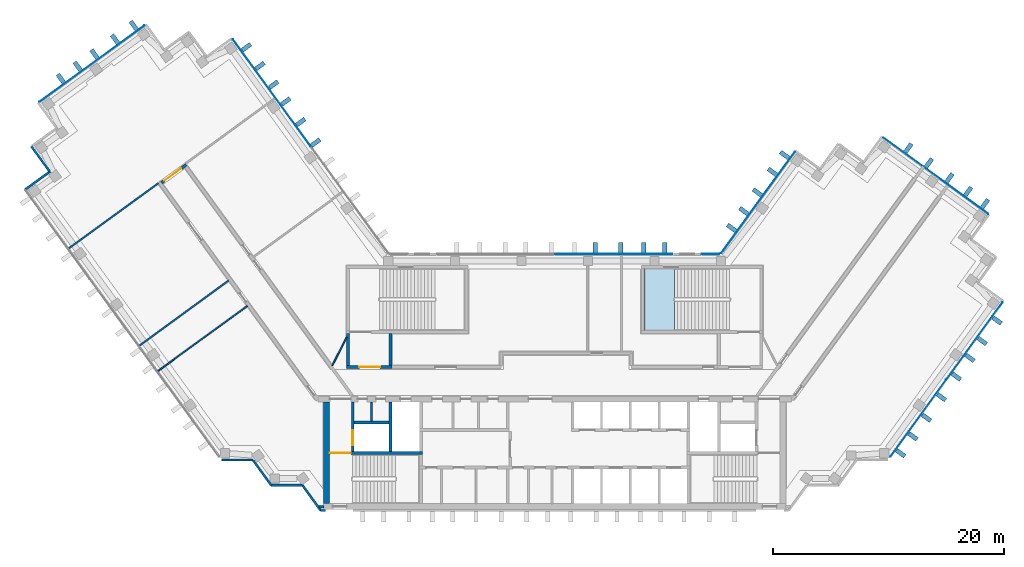
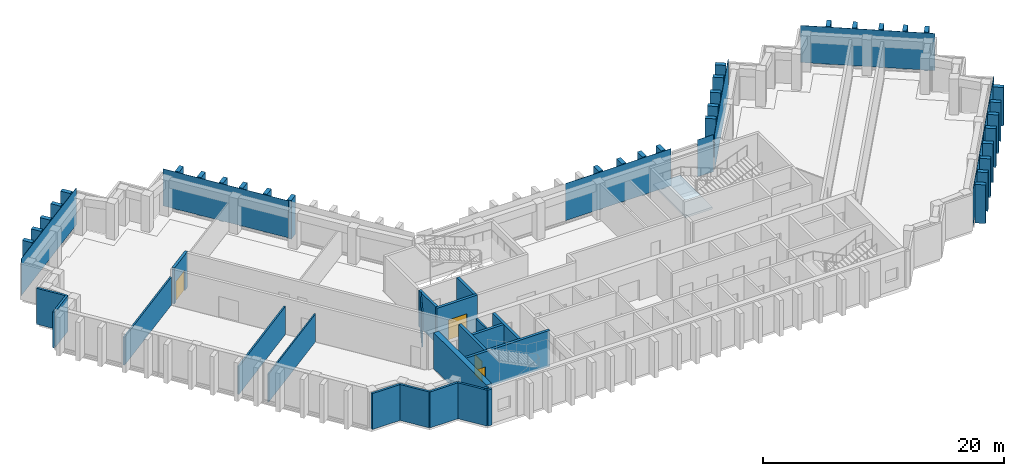
"""IFC4 building model written with IfcOpenShell, lengths in metres."""

from ifc_helpers import new_model, si_unit, direction, frame, frame_2d, origin, origin_2d, place, context, subcontext, project, spatial, polyline, rectangle, outline, extrude, material, layer, layer_set, type_object, element, fill, aggregate, save


model = new_model("IFC4")

# Units and contexts
model_context = context("Model", 3, precision=1e-05, world=origin(), true_north=direction((0.0, 1.0)))
body_context = subcontext(model_context, "Body", "Model", "MODEL_VIEW")
ifc_project = project(units=[si_unit("LENGTHUNIT", "METRE"), si_unit("AREAUNIT", "SQUARE_METRE"), si_unit("VOLUMEUNIT", "CUBIC_METRE"), si_unit("PLANEANGLEUNIT", "RADIAN"), si_unit("MASSUNIT", "GRAM", prefix="KILO")], contexts=[model_context])

# Site, building, storey
site_placement = place(None, origin())
site = spatial("IfcSite", under=ifc_project, at=site_placement, CompositionType="ELEMENT")
building_placement = place(site_placement, origin())
building = spatial("IfcBuilding", under=site, at=building_placement, Name="Quipu Civic Tower", CompositionType="ELEMENT")
storey_1_placement = place(building_placement, frame((0.0, 0.0, 214.0)))
storey_1 = spatial("IfcBuildingStorey", under=building, at=storey_1_placement, Name="L50", CompositionType="ELEMENT", Elevation=214.0)

# Curtain wall
ifc_material_1 = material(Name="Insulated glass unit", Category="glass")
curtain_wall_type = type_object("IfcCurtainWallType", Name="Office curtain wall CW1", PredefinedType="NOTDEFINED", material=ifc_material_1)
curtain_wall_1_placement = place(storey_1_placement, origin())
curtain_wall_1 = element("IfcCurtainWall", 1, at=curtain_wall_1_placement, inside=storey_1, type_object=curtain_wall_type, Name="Office curtain wall CW1 L49 run 4", PredefinedType="NOTDEFINED")

# Storey
storey_2_placement = place(building_placement, frame((0.0, 0.0, 218.0)))
storey_2 = spatial("IfcBuildingStorey", under=building, at=storey_2_placement, Name="L51", CompositionType="ELEMENT", Elevation=218.0)

# Plate
ifc_material_2 = material(Name="Insulated glass unit", Category="glass")
ifc_layer_1 = layer(ifc_material_2, 0.028076171875)
ifc_layer_set_1 = layer_set([ifc_layer_1], Name="Insulated glass unit")
plate_type_1 = type_object("IfcPlateType", Name="Glass panel CW1", PredefinedType="CURTAIN_PANEL", material=ifc_layer_set_1)
plate_1_placement = place(storey_2_placement, frame((31.465087890625, -3.10400390625, 0.16015625), z_axis=(0.0, 0.0, 1.0), x_axis=(0.58778680192, 0.809015868502, 0.0)))
plate_1 = element("IfcPlate", 2, at=plate_1_placement, inside=storey_2, type_object=plate_type_1, Name="CW1 panel 1.3", PredefinedType="CURTAIN_PANEL", context=body_context, shape_type="SweptSolid", body=[
    extrude(rectangle(XDim=8.2080078125, YDim=0.028076171875, at=origin_2d()), origin(), (0.0, 0.0, 1.0), 3.760009765625),
])

plate_2_placement = place(storey_2_placement, frame((36.3369140625, 3.60107421875, 0.16015625), z_axis=(0.0, 0.0, 1.0), x_axis=(0.58778680192, 0.809015868502, 0.0)))
plate_2 = element("IfcPlate", 3, at=plate_2_placement, inside=storey_2, type_object=plate_type_1, Name="CW1 panel 2.3", PredefinedType="CURTAIN_PANEL", context=body_context, shape_type="SweptSolid", body=[
    extrude(rectangle(XDim=8.2080078125, YDim=0.028076171875, at=origin_2d()), origin(), (0.0, 0.0, 1.0), 3.760009765625),
])

aggregate(curtain_wall_1, [plate_1, plate_2])

# Storey
storey_3_placement = place(building_placement, frame((0.0, 0.0, 222.0)))
storey_3 = spatial("IfcBuildingStorey", under=building, at=storey_3_placement, Name="L52", CompositionType="ELEMENT", Elevation=222.0)

# Curtain wall, plate
curtain_wall_2_placement = place(storey_3_placement, origin())
curtain_wall_2 = element("IfcCurtainWall", 4, at=curtain_wall_2_placement, inside=storey_3, type_object=curtain_wall_type, Name="Office curtain wall CW1 L51 run 1", PredefinedType="NOTDEFINED")
plate_3_placement = place(storey_2_placement, frame((-24.491455078125, 25.066162109375, 0.240234375), z_axis=(0.0, 0.0, 1.0), x_axis=(-0.587788727052, 0.809014469803, 0.0)))
plate_3 = element("IfcPlate", 5, at=plate_3_placement, inside=storey_2, type_object=plate_type_1, Name="CW1 panel 2.1", PredefinedType="CURTAIN_PANEL", context=body_context, shape_type="SweptSolid", body=[
    extrude(rectangle(XDim=11.402099609375, YDim=0.028076171875, at=origin_2d()), origin(), (0.0, 0.0, 1.0), 3.760009765625),
])
aggregate(curtain_wall_2, [plate_3])

curtain_wall_3_placement = place(storey_3_placement, origin())
curtain_wall_3 = element("IfcCurtainWall", 6, at=curtain_wall_3_placement, inside=storey_3, type_object=curtain_wall_type, Name="Office curtain wall CW1 L51 run 6", PredefinedType="NOTDEFINED")
plate_4_placement = place(storey_2_placement, frame((-40.04345703125, 27.58740234375, 0.240234375), z_axis=(0.0, 0.0, 1.0), x_axis=(-0.809015176832, -0.587787753918, 0.0)))
plate_4 = element("IfcPlate", 7, at=plate_4_placement, inside=storey_2, type_object=plate_type_1, Name="CW1 panel 1.1", PredefinedType="CURTAIN_PANEL", context=body_context, shape_type="SweptSolid", body=[
    extrude(rectangle(XDim=11.239990234375, YDim=0.028076171875, at=origin_2d()), origin(), (0.0, 0.0, 1.0), 3.760009765625),
])
aggregate(curtain_wall_3, [plate_4])

curtain_wall_4_placement = place(storey_3_placement, origin())
curtain_wall_4 = element("IfcCurtainWall", 8, at=curtain_wall_4_placement, inside=storey_3, type_object=curtain_wall_type, Name="Office curtain wall CW1 L51 run 21", PredefinedType="NOTDEFINED")
plate_5_placement = place(storey_2_placement, frame((32.989990234375, 17.87939453125, 0.240234375), z_axis=(0.0, 0.0, 1.0), x_axis=(-0.809015176832, 0.587787753918, 0.0)))
plate_5 = element("IfcPlate", 9, at=plate_5_placement, inside=storey_2, type_object=plate_type_1, Name="CW1 panel 1.1", PredefinedType="CURTAIN_PANEL", context=body_context, shape_type="SweptSolid", body=[
    extrude(rectangle(XDim=11.239990234375, YDim=0.028076171875, at=origin_2d()), origin(), (0.0, 0.0, 1.0), 3.760009765625),
])
aggregate(curtain_wall_4, [plate_5])

curtain_wall_5_placement = place(storey_3_placement, origin())
curtain_wall_5 = element("IfcCurtainWall", 10, at=curtain_wall_5_placement, inside=storey_3, type_object=curtain_wall_type, Name="Office curtain wall CW1 L51 run 26", PredefinedType="NOTDEFINED")
plate_6_placement = place(storey_2_placement, frame((17.590087890625, 15.5673828125, 0.240234375), z_axis=(0.0, 0.0, 1.0), x_axis=(-0.587787771652, -0.809015163947, 0.0)))
plate_6 = element("IfcPlate", 11, at=plate_6_placement, inside=storey_2, type_object=plate_type_1, Name="CW1 panel 1.1", PredefinedType="CURTAIN_PANEL", context=body_context, shape_type="SweptSolid", body=[
    extrude(rectangle(XDim=10.88427734375, YDim=0.028076171875, at=origin_2d()), origin(), (0.0, 0.0, 1.0), 3.760009765625),
])
aggregate(curtain_wall_5, [plate_6])

curtain_wall_6_placement = place(storey_3_placement, origin())
curtain_wall_6 = element("IfcCurtainWall", 12, at=curtain_wall_6_placement, inside=storey_3, type_object=curtain_wall_type, Name="Office curtain wall CW1 L51 run 27", PredefinedType="NOTDEFINED")
plate_7_placement = place(storey_2_placement, frame((13.49951171875, 11.10009765625, 0.240234375), z_axis=(0.0, 0.0, 1.0), x_axis=(-1.0, 0.0, 0.0)))
plate_7 = element("IfcPlate", 13, at=plate_7_placement, inside=storey_2, type_object=plate_type_1, Name="CW1 panel 1.1", PredefinedType="CURTAIN_PANEL", context=body_context, shape_type="SweptSolid", body=[
    extrude(rectangle(XDim=1.529296875, YDim=0.028076171875, at=origin_2d()), origin(), (0.0, 0.0, 1.0), 3.760009765625),
])
aggregate(curtain_wall_6, [plate_7])

curtain_wall_7_placement = place(storey_3_placement, origin())
curtain_wall_7 = element("IfcCurtainWall", 14, at=curtain_wall_7_placement, inside=storey_3, type_object=curtain_wall_type, Name="Office curtain wall CW1 L51 run 29", PredefinedType="NOTDEFINED")
plate_8_placement = place(storey_2_placement, frame((5.11181640625, 11.10009765625, 0.240234375), z_axis=(0.0, 0.0, 1.0), x_axis=(-1.0, 0.0, 0.0)))
plate_8 = element("IfcPlate", 15, at=plate_8_placement, inside=storey_2, type_object=plate_type_1, Name="CW1 panel 1.1", PredefinedType="CURTAIN_PANEL", context=body_context, shape_type="SweptSolid", body=[
    extrude(rectangle(XDim=10.1435546875, YDim=0.028076171875, at=origin_2d()), origin(), (0.0, 0.0, 1.0), 3.760009765625),
])
aggregate(curtain_wall_7, [plate_8])

# Plates
ifc_material_3 = material(Name="Precast concrete C40/50", Category="concrete")
plate_type_2 = type_object("IfcPlateType", Name="Precast fin F2", PredefinedType="SHEET", material=ifc_material_3)
for number, where, z_axis, x_axis, name in (
    (16, (29.943603515625, -6.134033203125, 0.080078125), (0.0, 0.0, 1.0), (0.587786668783, 0.809015965233, 0.0), "Precast fin F2 L51.P04.1"),
    (17, (31.00146484375, -4.677734375, 0.080078125), (0.0, 0.0, 1.0), (0.587786668783, 0.809015965233, 0.0), "Precast fin F2 L51.P04.2"),
    (18, (32.17724609375, -3.059814453125, 0.080078125), (0.0, 0.0, 1.0), (0.587786668783, 0.809015965233, 0.0), "Precast fin F2 L51.P04.3"),
    (19, (33.47021484375, -1.280029296875, 0.080078125), (0.0, 0.0, 1.0), (0.587786668783, 0.809015965233, 0.0), "Precast fin F2 L51.P04.4"),
    (20, (34.763427734375, 0.5, 0.080078125), (0.0, 0.0, 1.0), (0.587786668783, 0.809015965233, 0.0), "Precast fin F2 L51.P04.5"),
    (21, (35.93896484375, 2.117919921875, 0.080078125), (0.0, 0.0, 1.0), (0.587786668783, 0.809015965233, 0.0), "Precast fin F2 L51.P04.6"),
    (22, (36.9970703125, 3.57421875, 0.080078125), (0.0, 0.0, 1.0), (0.587786668783, 0.809015965233, 0.0), "Precast fin F2 L51.P04.7"),
    (23, (38.2900390625, 5.35400390625, 0.080078125), (0.0, 0.0, 1.0), (0.587786668783, 0.809015965233, 0.0), "Precast fin F2 L51.P04.8"),
    (24, (-20.681884765625, 20.758544921875, 0.080078125), (0.0, 0.0, 1.0), (-0.587787133119, 0.809015627871, 0.0), "Precast fin F2 L51.1.6"),
    (25, (-21.974853515625, 22.538330078125, 0.080078125), (0.0, 0.0, 1.0), (-0.587787133119, 0.809015627871, 0.0), "Precast fin F2 L51.1.7"),
    (26, (-23.26806640625, 24.318115234375, 0.080078125), (0.0, 0.0, 1.0), (-0.587787133119, 0.809015627871, 0.0), "Precast fin F2 L51.1.8"),
    (27, (-24.326171875, 25.7744140625, 0.080078125), (0.0, 0.0, 1.0), (-0.587787133119, 0.809015627871, 0.0), "Precast fin F2 L51.1.9"),
    (28, (-25.501708984375, 27.392578125, 0.080078125), (0.0, 0.0, 1.0), (-0.587787133119, 0.809015627871, 0.0), "Precast fin F2 L51.1.10"),
    (29, (-26.67724609375, 29.010498046875, 0.080078125), (0.0, 0.0, 1.0), (-0.587787133119, 0.809015627871, 0.0), "Precast fin F2 L51.1.11"),
    (30, (-36.434814453125, 30.88916015625, 0.080078125), (0.0, 0.0, 1.0), (-0.809017072762, -0.587785144401, 0.0), "Precast fin F2 L51.6.1"),
    (31, (-38.052978515625, 29.713623046875, 0.080078125), (0.0, 0.0, 1.0), (-0.809017072762, -0.587785144401, 0.0), "Precast fin F2 L51.6.2"),
    (32, (-39.832763671875, 28.42041015625, 0.080078125), (0.0, 0.0, 1.0), (-0.809017072762, -0.587785144401, 0.0), "Precast fin F2 L51.6.3"),
    (33, (-41.2890625, 27.3623046875, 0.080078125), (0.0, 0.0, 1.0), (-0.809017072762, -0.587785144401, 0.0), "Precast fin F2 L51.6.4"),
    (34, (-42.745361328125, 26.304443359375, 0.080078125), (0.0, 0.0, 1.0), (-0.809017072762, -0.587785144401, 0.0), "Precast fin F2 L51.6.5"),
    (35, (37.2451171875, 15.467529296875, 0.080078125), (0.0, 0.0, 1.0), (-0.809017072762, 0.587785144401, 0.0), "Precast fin F2 L51.21.1"),
    (36, (35.7890625, 16.525634765625, 0.080078125), (0.0, 0.0, 1.0), (-0.809017072762, 0.587785144401, 0.0), "Precast fin F2 L51.21.2"),
    (37, (34.1708984375, 17.701171875, 0.080078125), (0.0, 0.0, 1.0), (-0.809017072762, 0.587785144401, 0.0), "Precast fin F2 L51.21.3"),
    (38, (32.39111328125, 18.994384765625, 0.080078125), (0.0, 0.0, 1.0), (-0.809017072762, 0.587785144401, 0.0), "Precast fin F2 L51.21.4"),
    (39, (30.611328125, 20.287353515625, 0.080078125), (0.0, 0.0, 1.0), (-0.809017072762, 0.587785144401, 0.0), "Precast fin F2 L51.21.5"),
    (40, (19.897216796875, 19.6787109375, 0.080078125), (0.0, 0.0, 1.0), (-0.58778443384, -0.809017589015, 0.0), "Precast fin F2 L51.26.1"),
    (41, (18.839111328125, 18.222412109375, 0.080078125), (0.0, 0.0, 1.0), (-0.58778443384, -0.809017589015, 0.0), "Precast fin F2 L51.26.2"),
    (42, (17.546142578125, 16.442626953125, 0.080078125), (0.0, 0.0, 1.0), (-0.58778443384, -0.809017589015, 0.0), "Precast fin F2 L51.26.3"),
    (43, (16.370361328125, 14.824462890625, 0.080078125), (0.0, 0.0, 1.0), (-0.58778443384, -0.809017589015, 0.0), "Precast fin F2 L51.26.4"),
    (44, (15.3125, 13.368408203125, 0.080078125), (0.0, 0.0, 1.0), (-0.58778443384, -0.809017589015, 0.0), "Precast fin F2 L51.26.5"),
    (45, (9.510009765625, 11.64990234375, 0.080078125), (0.0, 0.0, 1.0), (-1.0, 0.0, 0.0), "Precast fin F2 L51.29.1"),
    (46, (7.7099609375, 11.64990234375, 0.080078125), (0.0, 0.0, 1.0), (-1.0, 0.0, 0.0), "Precast fin F2 L51.29.2"),
    (47, (5.7099609375, 11.64990234375, 0.080078125), (0.0, 0.0, 1.0), (-1.0, 0.0, 0.0), "Precast fin F2 L51.29.3"),
    (48, (3.510009765625, 11.64990234375, 0.080078125), (0.0, 0.0, 1.0), (-1.0, 0.0, 0.0), "Precast fin F2 L51.29.4"),
):
    element("IfcPlate", number, at=place(storey_2_placement, frame(where, z_axis=z_axis, x_axis=x_axis)), inside=storey_2, type_object=plate_type_2, Name=name, PredefinedType="SHEET", context=body_context, shape_type="SweptSolid", body=[
        extrude(rectangle(XDim=0.3798828125, YDim=0.89990234375, at=origin_2d()), origin(), (0.0, 0.0, 1.0), 3.919921875),
    ])

# Stair, slab
ifc_material_4 = material(Name="Concrete C40/50", Category="concrete")
stair_type = type_object("IfcStairType", Name="Half turn stair 2600", PredefinedType="HALF_TURN_STAIR", material=ifc_material_4)
stair_placement = place(storey_2_placement, origin())
stair = element("IfcStair", 49, at=stair_placement, inside=storey_2, type_object=stair_type, Name="Exit stair 4", PredefinedType="HALF_TURN_STAIR")
ifc_material_5 = material(Name="Concrete C40/50", Category="concrete")
ifc_layer_2 = layer(ifc_material_5, 0.199951171875)
ifc_layer_set_2 = layer_set([ifc_layer_2], Name="Concrete C40/50")
slab_type = type_object("IfcSlabType", Name="Stair landing 200", PredefinedType="LANDING", material=ifc_layer_set_2)
slab_placement = place(storey_2_placement, frame((0.0, 0.0, 1.800048828125)))
slab = element("IfcSlab", 50, at=slab_placement, type_object=slab_type, Name="ST-4 landing 1", PredefinedType="LANDING", context=body_context, shape_type="SweptSolid", body=[
    extrude(outline(polyline([(10.35009765625, 9.85009765625), (7.75, 9.85009765625), (7.75, 4.5), (10.35009765625, 4.5), (10.35009765625, 9.85009765625)])), origin(), (0.0, 0.0, 1.0), 0.199951171875),
])
aggregate(stair, [slab])

# Walls
ifc_material_6 = material(Name="Double gypsum plasterboard with mineral wool")
ifc_layer_3 = layer(ifc_material_6, 0.14990234375)
ifc_layer_set_3 = layer_set([ifc_layer_3], Name="Double gypsum plasterboard with mineral wool")
wall_type_1 = type_object("IfcWallType", Name="Acoustic partition 150 plasterboard", PredefinedType="PARTITIONING", material=ifc_layer_set_3)
wall_1_placement = place(storey_2_placement, frame((-42.035888671875, 11.615478515625, 0.0), z_axis=(0.0, 0.0, 1.0), x_axis=(0.808985331811, 0.587828829605, 0.0)))
element("IfcWall", 51, at=wall_1_placement, inside=storey_2, type_object=wall_type_1, Name="Partition P01", PredefinedType="PARTITIONING", context=body_context, shape_type="SweptSolid", body=[
    extrude(rectangle(XDim=9.56982421875, YDim=0.14990234375, at=frame_2d((4.784912109375, 0.0))), origin(), (0.0, 0.0, 1.0), 2.85009765625),
])
wall_2_placement = place(storey_2_placement, frame((-35.919189453125, 3.196533203125, 0.0), z_axis=(0.0, 0.0, 1.0), x_axis=(0.807645841498, 0.589667868135, 0.0)))
element("IfcWall", 52, at=wall_2_placement, inside=storey_2, type_object=wall_type_1, Name="Partition P05", PredefinedType="PARTITIONING", context=body_context, shape_type="SweptSolid", body=[
    extrude(rectangle(XDim=9.550537109375, YDim=0.14990234375, at=frame_2d((4.775390625, 0.0))), origin(), (0.0, 0.0, 1.0), 2.85009765625),
])

# Wall, opening, door
ifc_material_7 = material(Name="Concrete C70/85", Category="concrete")
ifc_layer_4 = layer(ifc_material_7, 0.25)
ifc_layer_set_4 = layer_set([ifc_layer_4], Name="Concrete C70/85")
wall_type_2 = type_object("IfcWallType", Name="Core wall 250", PredefinedType="SHEAR", material=ifc_layer_set_4)
wall_3_placement = place(storey_2_placement, frame((-11.449951171875, -6.125, 0.0), z_axis=(0.0, 0.0, 1.0), x_axis=(-1.0, 0.0, 0.0)))
wall_3 = element("IfcWall", 53, at=wall_3_placement, inside=storey_2, type_object=wall_type_2, Name="Core wall", PredefinedType="SHEAR", context=body_context, shape_type="SweptSolid", body=[
    extrude(rectangle(XDim=8.050048828125, YDim=0.25, at=frame_2d((4.02490234375, 0.0))), origin(), (0.0, 0.0, 1.0), 3.64990234375),
])
opening_1_placement = place(wall_3_placement, frame((6.199951171875, 0.0, 0.0)))
opening_1 = element("IfcOpeningElement", 54, at=opening_1_placement, cuts=wall_3, Name="Opening CD-07", PredefinedType="OPENING", context=body_context, shape_type="SweptSolid", body=[
    extrude(rectangle(XDim=1.800048828125, YDim=2.10009765625, at=frame_2d((0.89990234375, 1.050048828125))), frame((0.0, 0.135009765625, 0.0), z_axis=(0.0, -1.0, 0.0), x_axis=(1.0, 0.0, 0.0)), (0.0, 0.0, 1.0), 0.27001953125),
])
ifc_material_8 = material(Name="Fire rated steel door", Category="steel")
door_type_1 = type_object("IfcDoorType", Name="Fire door FD90 double 1800 x 2100", OperationType="NOTDEFINED", PredefinedType="DOOR", material=ifc_material_8)
door_1_placement = place(opening_1_placement, origin())
door_1 = element("IfcDoor", 55, at=door_1_placement, inside=storey_2, type_object=door_type_1, Name="Door", OperationType="DOUBLE_DOOR_SINGLE_SWING", OverallHeight=2.10009765625, OverallWidth=1.800048828125, PredefinedType="DOOR", context=body_context, shape_type="SweptSolid", body=[
    extrude(rectangle(XDim=1.800048828125, YDim=2.10009765625, at=frame_2d((0.89990234375, 1.050048828125))), frame((0.0, 0.02490234375, 0.0), z_axis=(0.0, -1.0, 0.0), x_axis=(1.0, 0.0, 0.0)), (0.0, 0.0, 1.0), 0.050048828125),
])
fill(opening_1, door_1)

wall_4_placement = place(storey_2_placement, frame((-17.47509765625, -6.0, 0.0), z_axis=(0.0, 0.0, 1.0), x_axis=(0.0, 1.0, 0.0)))
wall_4 = element("IfcWall", 56, at=wall_4_placement, inside=storey_2, type_object=wall_type_2, Name="Core wall", PredefinedType="SHEAR", context=body_context, shape_type="SweptSolid", body=[
    extrude(rectangle(XDim=4.300048828125, YDim=0.25, at=frame_2d((2.14990234375, 0.0))), origin(), (0.0, 0.0, 1.0), 3.64990234375),
])
opening_2_placement = place(wall_4_placement, frame((0.550048828125, 0.0, 0.0)))
opening_2 = element("IfcOpeningElement", 57, at=opening_2_placement, cuts=wall_4, Name="Opening LD-FF1", PredefinedType="OPENING", context=body_context, shape_type="SweptSolid", body=[
    extrude(rectangle(XDim=1.300048828125, YDim=2.10009765625, at=frame_2d((0.64990234375, 1.050048828125))), frame((0.0, 0.135009765625, 0.0), z_axis=(0.0, -1.0, 0.0), x_axis=(1.0, 0.0, 0.0)), (0.0, 0.0, 1.0), 0.27001953125),
])
ifc_material_9 = material(Name="Stainless steel", Category="steel")
door_type_2 = type_object("IfcDoorType", Name="Lift landing door 1300 x 2100", OperationType="DOUBLE_DOOR_SLIDING", PredefinedType="DOOR", material=ifc_material_9)
door_2_placement = place(opening_2_placement, origin())
door_2 = element("IfcDoor", 58, at=door_2_placement, inside=storey_2, type_object=door_type_2, Name="Landing door FF1", OperationType="DOUBLE_DOOR_SLIDING", OverallHeight=2.10009765625, OverallWidth=1.300048828125, PredefinedType="DOOR", context=body_context, shape_type="SweptSolid", body=[
    extrude(rectangle(XDim=1.300048828125, YDim=2.10009765625, at=frame_2d((0.64990234375, 1.050048828125))), frame((0.0, 0.02490234375, 0.0), z_axis=(0.0, -1.0, 0.0), x_axis=(1.0, 0.0, 0.0)), (0.0, 0.0, 1.0), 0.050048828125),
])
fill(opening_2, door_2)

# Walls
wall_5_placement = place(storey_2_placement, frame((-14.22509765625, -6.0, 0.0), z_axis=(0.0, 0.0, 1.0), x_axis=(0.0, 1.0, 0.0)))
element("IfcWall", 59, at=wall_5_placement, inside=storey_2, type_object=wall_type_2, Name="Core wall", PredefinedType="SHEAR", context=body_context, shape_type="SweptSolid", body=[
    extrude(rectangle(XDim=4.300048828125, YDim=0.25, at=frame_2d((2.14990234375, 0.0))), origin(), (0.0, 0.0, 1.0), 3.64990234375),
])
wall_6_placement = place(storey_2_placement, frame((-17.35009765625, -3.47509765625, 0.0), z_axis=(0.0, 0.0, 1.0), x_axis=(1.0, 0.0, 0.0)))
element("IfcWall", 60, at=wall_6_placement, inside=storey_2, type_object=wall_type_2, Name="Core wall", PredefinedType="SHEAR", context=body_context, shape_type="SweptSolid", body=[
    extrude(rectangle(XDim=3.0, YDim=0.25, at=frame_2d((1.5, 0.0))), origin(), (0.0, 0.0, 1.0), 3.64990234375),
])

# Wall, opening, door
wall_7_placement = place(storey_2_placement, frame((-18.0, 1.324951171875, 0.0), z_axis=(0.0, 0.0, 1.0), x_axis=(1.0, 0.0, 0.0)))
wall_7 = element("IfcWall", 61, at=wall_7_placement, inside=storey_2, type_object=wall_type_2, Name="Core wall", PredefinedType="SHEAR", context=body_context, shape_type="SweptSolid", body=[
    extrude(rectangle(XDim=3.89990234375, YDim=0.25, at=frame_2d((1.949951171875, 0.0))), origin(), (0.0, 0.0, 1.0), 3.64990234375),
])
opening_3_placement = place(wall_7_placement, frame((1.10009765625, 0.0, 0.0)))
opening_3 = element("IfcOpeningElement", 62, at=opening_3_placement, cuts=wall_7, Name="Opening CD-21", PredefinedType="OPENING", context=body_context, shape_type="SweptSolid", body=[
    extrude(rectangle(XDim=1.800048828125, YDim=2.10009765625, at=frame_2d((0.89990234375, 1.050048828125))), frame((0.0, 0.135009765625, 0.0), z_axis=(0.0, -1.0, 0.0), x_axis=(1.0, 0.0, 0.0)), (0.0, 0.0, 1.0), 0.27001953125),
])
door_3_placement = place(opening_3_placement, origin())
door_3 = element("IfcDoor", 63, at=door_3_placement, inside=storey_2, type_object=door_type_1, Name="Lobby door", OperationType="DOUBLE_DOOR_SINGLE_SWING", OverallHeight=2.10009765625, OverallWidth=1.800048828125, PredefinedType="DOOR", context=body_context, shape_type="SweptSolid", body=[
    extrude(rectangle(XDim=1.800048828125, YDim=2.10009765625, at=frame_2d((0.89990234375, 1.050048828125))), frame((0.0, 0.02490234375, 0.0), z_axis=(0.0, -1.0, 0.0), x_axis=(1.0, 0.0, 0.0)), (0.0, 0.0, 1.0), 0.050048828125),
])
fill(opening_3, door_3)

# Walls
for number, where, z_axis, x_axis, name in (
    (64, (-17.875, 1.449951171875, 0.0), (0.0, 0.0, 1.0), (0.0, 1.0, 0.0), "Core wall"),
    (65, (-14.22509765625, 1.449951171875, 0.0), (0.0, 0.0, 1.0), (0.0, 1.0, 0.0), "Core wall"),
):
    element("IfcWall", number, at=place(storey_2_placement, frame(where, z_axis=z_axis, x_axis=x_axis)), inside=storey_2, type_object=wall_type_2, Name=name, PredefinedType="SHEAR", context=body_context, shape_type="SweptSolid", body=[
        extrude(rectangle(XDim=2.800048828125, YDim=0.25, at=frame_2d((1.39990234375, 0.0))), origin(), (0.0, 0.0, 1.0), 3.64990234375),
    ])
ifc_material_10 = material(Name="Concrete C70/85", Category="concrete")
ifc_layer_5 = layer(ifc_material_10, 0.5)
ifc_layer_set_5 = layer_set([ifc_layer_5], Name="Concrete C70/85")
wall_type_3 = type_object("IfcWallType", Name="Core wall 500", PredefinedType="SHEAR", material=ifc_layer_set_5)
wall_8_placement = place(storey_2_placement, frame((-19.75, -10.5, 0.0), z_axis=(0.0, 0.0, 1.0), x_axis=(0.0, 1.0, 0.0)))
element("IfcWall", 66, at=wall_8_placement, inside=storey_2, type_object=wall_type_3, Name="Core wall", PredefinedType="SHEAR", context=body_context, shape_type="SweptSolid", body=[
    extrude(rectangle(XDim=8.800048828125, YDim=0.5, at=frame_2d((4.39990234375, 0.0))), origin(), (0.0, 0.0, 1.0), 3.64990234375),
])

# Wall, opening, door
ifc_material_11 = material(Name="Concrete C50/60", Category="concrete")
ifc_layer_6 = layer(ifc_material_11, 0.25)
ifc_layer_set_6 = layer_set([ifc_layer_6], Name="Concrete C50/60")
wall_type_4 = type_object("IfcWallType", Name="Corridor wall 250 concrete", PredefinedType="SOLIDWALL", material=ifc_layer_set_6)
wall_9_placement = place(storey_2_placement, frame((-34.0341796875, 17.275146484375, 0.0), z_axis=(0.0, 0.0, 1.0), x_axis=(0.809006914995, 0.587799125119, 0.0)))
wall_9 = element("IfcWall", 67, at=wall_9_placement, inside=storey_2, type_object=wall_type_4, Name="Corridor wall C05", PredefinedType="SOLIDWALL", context=body_context, shape_type="SweptSolid", body=[
    extrude(rectangle(XDim=2.64990234375, YDim=0.25, at=frame_2d((1.324951171875, 0.0))), origin(), (0.0, 0.0, 1.0), 3.64990234375),
])
opening_4_placement = place(wall_9_placement, frame((0.30029296875, 0.0, 0.0)))
opening_4 = element("IfcOpeningElement", 68, at=opening_4_placement, cuts=wall_9, Name="Opening D011", PredefinedType="OPENING", context=body_context, shape_type="SweptSolid", body=[
    extrude(rectangle(XDim=1.800048828125, YDim=2.10009765625, at=frame_2d((0.89990234375, 1.050048828125))), frame((0.0, 0.135009765625, 0.0), z_axis=(0.0, -1.0, 0.0), x_axis=(1.0, 0.0, 0.0)), (0.0, 0.0, 1.0), 0.27001953125),
])
ifc_material_12 = material(Name="Fire rated timber door set with metal frame", Category="wood")
door_type_3 = type_object("IfcDoorType", Name="Double door 1800 x 2100 FD60", OperationType="DOUBLE_DOOR_SINGLE_SWING", PredefinedType="DOOR", material=ifc_material_12)
door_4_placement = place(opening_4_placement, origin())
door_4 = element("IfcDoor", 69, at=door_4_placement, inside=storey_2, type_object=door_type_3, Name="Door D011", OperationType="DOUBLE_DOOR_SINGLE_SWING", OverallHeight=2.10009765625, OverallWidth=1.800048828125, PredefinedType="DOOR", context=body_context, shape_type="SweptSolid", body=[
    extrude(rectangle(XDim=1.800048828125, YDim=2.10009765625, at=frame_2d((0.89990234375, 1.050048828125))), frame((0.0, 0.02490234375, 0.0), z_axis=(0.0, -1.0, 0.0), x_axis=(1.0, 0.0, 0.0)), (0.0, 0.0, 1.0), 0.050048828125),
])
fill(opening_4, door_4)

# Walls
ifc_material_13 = material(Name="Gypsum plasterboard on light gauge framing")
ifc_layer_7 = layer(ifc_material_13, 0.1201171875)
ifc_layer_set_7 = layer_set([ifc_layer_7], Name="Gypsum plasterboard on light gauge framing")
wall_type_5 = type_object("IfcWallType", Name="Partition 120 plasterboard", PredefinedType="PARTITIONING", material=ifc_layer_set_7)
wall_10_placement = place(storey_2_placement, frame((-26.59521484375, 6.61083984375, 0.0), z_axis=(0.0, 0.0, 1.0), x_axis=(-0.80900684162, -0.587799226107, 0.0)))
element("IfcWall", 70, at=wall_10_placement, inside=storey_2, type_object=wall_type_5, Name="Partition P03", PredefinedType="PARTITIONING", context=body_context, shape_type="SweptSolid", body=[
    extrude(rectangle(XDim=9.550048828125, YDim=0.1201171875, at=frame_2d((4.77490234375, 0.0))), origin(), (0.0, 0.0, 1.0), 2.85009765625),
])
wall_11_placement = place(storey_2_placement, frame((-19.260986328125, 1.449951171875, 0.0), z_axis=(0.0, 0.0, 1.0), x_axis=(0.453950796792, 0.891026752736, 0.0)))
element("IfcWall", 71, at=wall_11_placement, inside=storey_2, type_object=wall_type_5, Name="Partition P09", PredefinedType="PARTITIONING", context=body_context, shape_type="SweptSolid", body=[
    extrude(rectangle(XDim=2.77783203125, YDim=0.1201171875, at=frame_2d((1.388916015625, 0.0))), origin(), (0.0, 0.0, 1.0), 3.64990234375),
])
ifc_material_14 = material(Name="Gypsum board partition")
ifc_layer_8 = layer(ifc_material_14, 0.14990234375)
ifc_layer_set_8 = layer_set([ifc_layer_8], Name="Gypsum board partition")
wall_type_6 = type_object("IfcWallType", Name="Partition 150", PredefinedType="PARTITIONING", material=ifc_layer_set_8)
wall_12_placement = place(storey_2_placement, frame((-15.85009765625, -3.35009765625, 0.0), z_axis=(0.0, 0.0, 1.0), x_axis=(0.0, 1.0, 0.0)))
element("IfcWall", 72, at=wall_12_placement, inside=storey_2, type_object=wall_type_6, Name="Partition", PredefinedType="PARTITIONING", context=body_context, shape_type="SweptSolid", body=[
    extrude(rectangle(XDim=1.650146484375, YDim=0.14990234375, at=frame_2d((0.8251953125, 0.0))), origin(), (0.0, 0.0, 1.0), 3.64990234375),
])
ifc_material_15 = material(Name="Precast concrete C40/50", Category="concrete")
wall_type_7 = type_object("IfcWallType", Name="Precast cladding wall", PredefinedType="SOLIDWALL", material=ifc_material_15)
for number, where, z_axis, x_axis, name in (
    (73, (-45.29638671875, 20.43359375, 0.0), (0.0, 0.0, 1.0), (0.587762999008, -0.809033161865, 0.0), "Precast cladding wall L51 9"),
    (74, (-43.658203125, 18.271728515625, 0.0), (0.0, 0.0, 1.0), (-0.808958916286, -0.58786518162, 0.0), "Precast cladding wall L51 10"),
    (75, (-28.829833984375, -6.71923828125, 0.0), (0.0, 0.0, 1.0), (1.0, 0.0, 0.0), "Precast cladding wall L51 12"),
):
    element("IfcWall", number, at=place(storey_2_placement, frame(where, z_axis=z_axis, x_axis=x_axis)), inside=storey_2, type_object=wall_type_7, Name=name, PredefinedType="SOLIDWALL", context=body_context, shape_type="SweptSolid", body=[
        extrude(rectangle(XDim=2.699951171875, YDim=0.199951171875, at=frame_2d((1.35009765625, 0.0))), origin(), (0.0, 0.0, 1.0), 3.64990234375),
    ])
wall_13_placement = place(storey_2_placement, frame((-26.1201171875, -6.72412109375, 0.0), z_axis=(0.0, 0.0, 1.0), x_axis=(0.587720002413, -0.809064397168, 0.0)))
element("IfcWall", 76, at=wall_13_placement, inside=storey_2, type_object=wall_type_7, Name="Precast cladding wall L51 13", PredefinedType="SOLIDWALL", context=body_context, shape_type="SweptSolid", body=[
    extrude(rectangle(XDim=2.7001953125, YDim=0.199951171875, at=frame_2d((1.35009765625, 0.0))), origin(), (0.0, 0.0, 1.0), 3.64990234375),
])
wall_14_placement = place(storey_2_placement, frame((-24.542724609375, -8.90380859375, 0.0), z_axis=(0.0, 0.0, 1.0), x_axis=(1.0, 0.0, 0.0)))
element("IfcWall", 77, at=wall_14_placement, inside=storey_2, type_object=wall_type_7, Name="Precast cladding wall L51 14", PredefinedType="SOLIDWALL", context=body_context, shape_type="SweptSolid", body=[
    extrude(rectangle(XDim=2.699951171875, YDim=0.199951171875, at=frame_2d((1.35009765625, 0.0))), origin(), (0.0, 0.0, 1.0), 3.64990234375),
])
wall_15_placement = place(storey_2_placement, frame((-21.8330078125, -8.90869140625, 0.0), z_axis=(0.0, 0.0, 1.0), x_axis=(0.587766567315, -0.809030569476, 0.0)))
element("IfcWall", 78, at=wall_15_placement, inside=storey_2, type_object=wall_type_7, Name="Precast cladding wall L51 15", PredefinedType="SOLIDWALL", context=body_context, shape_type="SweptSolid", body=[
    extrude(rectangle(XDim=2.687744140625, YDim=0.199951171875, at=frame_2d((1.34375, 0.0))), origin(), (0.0, 0.0, 1.0), 3.64990234375),
])
wall_16_placement = place(storey_2_placement, frame((-20.255859375, -11.087890625, 0.0), z_axis=(0.0, 0.0, 1.0), x_axis=(1.0, 0.0, 0.0)))
element("IfcWall", 79, at=wall_16_placement, inside=storey_2, type_object=wall_type_7, Name="Precast cladding wall L51 16", PredefinedType="SOLIDWALL", context=body_context, shape_type="SweptSolid", body=[
    extrude(rectangle(XDim=0.40576171875, YDim=0.199951171875, at=frame_2d((0.202880859375, 0.0))), origin(), (0.0, 0.0, 1.0), 3.64990234375),
])
wall_17_placement = place(storey_2_placement, frame((-19.97998046875, -10.75, 0.0), z_axis=(0.0, 0.0, 1.0), x_axis=(-1.0, 0.0, 0.0)))
element("IfcWall", 80, at=wall_17_placement, inside=storey_2, type_object=wall_type_7, Name="Precast cladding return L51 W", PredefinedType="SOLIDWALL", context=body_context, shape_type="SweptSolid", body=[
    extrude(rectangle(XDim=0.41650390625, YDim=0.199951171875, at=frame_2d((0.208251953125, 0.0))), origin(), (0.0, 0.0, 1.0), 3.64990234375),
])

save(model, "model.ifc")
